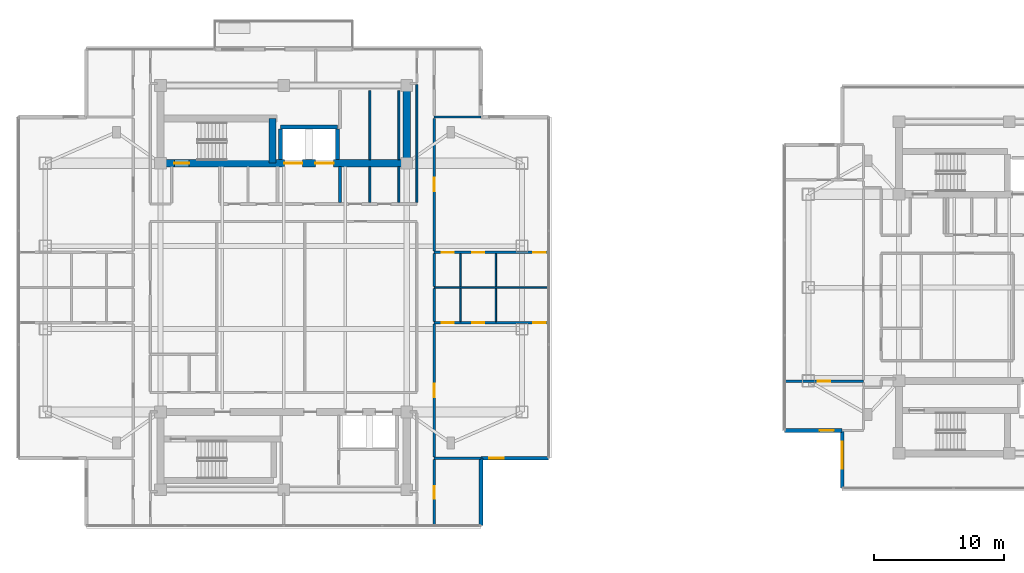
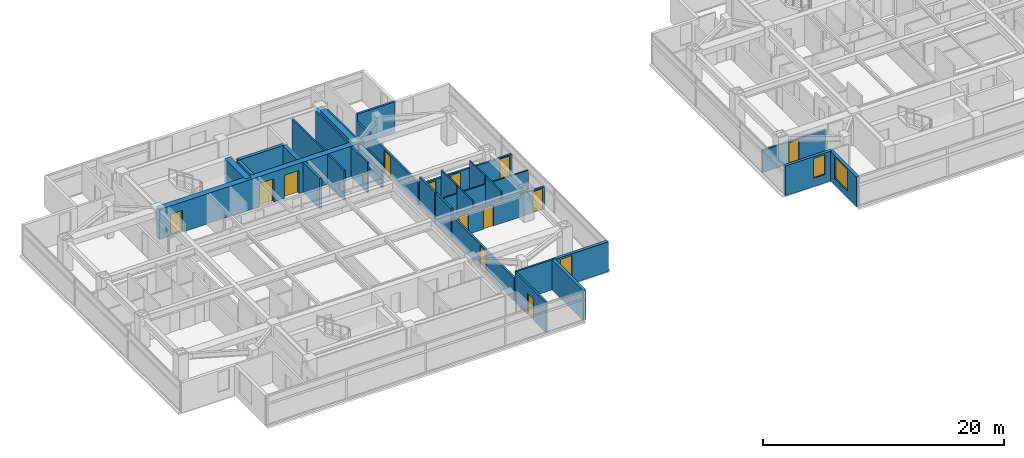
# One storey, part 14 of 24: 31 walls, 13 doors, 3 windows, 16 openings.
"""IFC4 building model written with IfcOpenShell, lengths in metres."""

from ifc_helpers import new_model, si_unit, direction, frame, frame_2d, origin, place, context, subcontext, project, spatial, rectangle, extrude, material, layer, layer_set, type_object, element, fill, save


model = new_model("IFC4")

# Units and contexts
model_context = context("Model", 3, precision=1e-05, world=origin(), true_north=direction((0.0, 1.0)))
body_context = subcontext(model_context, "Body", "Model", "MODEL_VIEW")
ifc_project = project(units=[si_unit("LENGTHUNIT", "METRE"), si_unit("AREAUNIT", "SQUARE_METRE"), si_unit("VOLUMEUNIT", "CUBIC_METRE"), si_unit("PLANEANGLEUNIT", "RADIAN"), si_unit("MASSUNIT", "GRAM", prefix="KILO")], contexts=[model_context])

# Site, building, storey
site_placement = place(None, origin())
site = spatial("IfcSite", under=ifc_project, at=site_placement, CompositionType="ELEMENT")
building_placement = place(site_placement, origin())
building = spatial("IfcBuilding", under=site, at=building_placement, Name="Mirazonda Arch Towers", CompositionType="ELEMENT")
storey_placement = place(building_placement, frame((0.0, 0.0, 196.64990234375)))
storey = spatial("IfcBuildingStorey", under=building, at=storey_placement, Name="L56", CompositionType="ELEMENT", Elevation=196.64990234375)

# Wall
ifc_material_1 = material(Name="Concrete C50/60", Category="concrete")
ifc_layer_1 = layer(ifc_material_1, 0.550048828125, Name="WALL-CORE-550")
ifc_layer_set_1 = layer_set([ifc_layer_1], Name="Concrete C50/60")
wall_type_1 = type_object("IfcWallType", Name="WALL-CORE-550", PredefinedType="SHEAR", material=ifc_layer_set_1)
wall_1_placement = place(storey_placement, frame((30.0, 37.60009765625, 0.0), z_axis=(0.0, 0.0, 1.0), x_axis=(0.0, 1.0, 0.0)))
element("IfcWall", 1, at=wall_1_placement, inside=storey, type_object=wall_type_1, Name="L56 T1N-E Core Shear Wall", PredefinedType="SHEAR", context=body_context, shape_type="SweptSolid", body=[
    extrude(rectangle(XDim=6.0, YDim=0.550048828125, at=frame_2d((3.0, 0.0))), origin(), (0.0, 0.0, 1.0), 3.050048828125),
])

# Wall, openings, doors
wall_2_placement = place(storey_placement, frame((11.0, 37.60009765625, 0.0), z_axis=(0.0, 0.0, 1.0), x_axis=(1.0, 0.0, 0.0)))
wall_2 = element("IfcWall", 2, at=wall_2_placement, inside=storey, type_object=wall_type_1, Name="L56 T1N-S Core Shear Wall", PredefinedType="SHEAR", context=body_context, shape_type="SweptSolid", body=[
    extrude(rectangle(XDim=19.0, YDim=0.550048828125, at=frame_2d((9.5, 0.0))), origin(), (0.0, 0.0, 1.0), 3.050048828125),
])
opening_1_placement = place(wall_2_placement, frame((1.06005859375, 0.0, 0.0)))
opening_1 = element("IfcOpeningElement", 3, at=opening_1_placement, cuts=wall_2, Name="Opening DR-135", PredefinedType="OPENING", context=body_context, shape_type="SweptSolid", body=[
    extrude(rectangle(XDim=1.14990234375, YDim=2.199951171875, at=frame_2d((0.574951171875, 1.10009765625))), frame((0.0, 0.284912109375, 0.0), z_axis=(0.0, -1.0, 0.0), x_axis=(1.0, 0.0, 0.0)), (0.0, 0.0, 1.0), 0.570068359375),
])
opening_2_placement = place(wall_2_placement, frame((9.550048828125, 0.0, 0.0)))
opening_2 = element("IfcOpeningElement", 4, at=opening_2_placement, cuts=wall_2, Name="Opening LD-112", PredefinedType="OPENING", context=body_context, shape_type="SweptSolid", body=[
    extrude(rectangle(XDim=1.39990234375, YDim=2.35009765625, at=frame_2d((0.699951171875, 1.175048828125))), frame((0.0, 0.284912109375, 0.0), z_axis=(0.0, -1.0, 0.0), x_axis=(1.0, 0.0, 0.0)), (0.0, 0.0, 1.0), 0.570068359375),
])
opening_3_placement = place(wall_2_placement, frame((11.949951171875, 0.0, 0.0)))
opening_3 = element("IfcOpeningElement", 5, at=opening_3_placement, cuts=wall_2, Name="Opening LD-112", PredefinedType="OPENING", context=body_context, shape_type="SweptSolid", body=[
    extrude(rectangle(XDim=1.39990234375, YDim=2.35009765625, at=frame_2d((0.699951171875, 1.175048828125))), frame((0.0, 0.284912109375, 0.0), z_axis=(0.0, -1.0, 0.0), x_axis=(1.0, 0.0, 0.0)), (0.0, 0.0, 1.0), 0.570068359375),
])
ifc_material_2 = material(Name="Architectural Brushed Steel S355", Category="steel")
door_type_1 = type_object("IfcDoorType", Name="DOOR-LIFT-FFL-1400", OperationType="NOTDEFINED", PredefinedType="DOOR", material=ifc_material_2)
door_1_placement = place(opening_2_placement, origin())
door_1 = element("IfcDoor", 6, at=door_1_placement, inside=storey, type_object=door_type_1, Name="L56 Lift Landing Sliding Door FFL-T1", OperationType="DOUBLE_DOOR_SLIDING", OverallHeight=2.35009765625, OverallWidth=1.39990234375, PredefinedType="DOOR", context=body_context, shape_type="SweptSolid", body=[
    extrude(rectangle(XDim=1.39990234375, YDim=2.35009765625, at=frame_2d((0.699951171875, 1.175048828125))), frame((0.0, 0.02490234375, 0.0), z_axis=(0.0, -1.0, 0.0), x_axis=(1.0, 0.0, 0.0)), (0.0, 0.0, 1.0), 0.050048828125),
])
fill(opening_2, door_1)
door_2_placement = place(opening_3_placement, origin())
door_2 = element("IfcDoor", 7, at=door_2_placement, inside=storey, type_object=door_type_1, Name="L56 Lift Landing Sliding Door SVL-T1", OperationType="DOUBLE_DOOR_SLIDING", OverallHeight=2.35009765625, OverallWidth=1.39990234375, PredefinedType="DOOR", context=body_context, shape_type="SweptSolid", body=[
    extrude(rectangle(XDim=1.39990234375, YDim=2.35009765625, at=frame_2d((0.699951171875, 1.175048828125))), frame((0.0, 0.02490234375, 0.0), z_axis=(0.0, -1.0, 0.0), x_axis=(1.0, 0.0, 0.0)), (0.0, 0.0, 1.0), 0.050048828125),
])
fill(opening_3, door_2)
door_type_2 = type_object("IfcDoorType", Name="DOOR-STAIR-FD90-1150", OperationType="NOTDEFINED", PredefinedType="DOOR", material=ifc_material_2)
door_3_placement = place(opening_1_placement, origin())
door_3 = element("IfcDoor", 8, at=door_3_placement, inside=storey, type_object=door_type_2, Name="L56 Protected Exit Stair North Door", OperationType="SINGLE_SWING_RIGHT", OverallHeight=2.199951171875, OverallWidth=1.14990234375, PredefinedType="DOOR", context=body_context, shape_type="SweptSolid", body=[
    extrude(rectangle(XDim=1.14990234375, YDim=2.199951171875, at=frame_2d((0.574951171875, 1.10009765625))), frame((0.0, 0.02490234375, 0.0), z_axis=(0.0, -1.0, 0.0), x_axis=(1.0, 0.0, 0.0)), (0.0, 0.0, 1.0), 0.050048828125),
])
fill(opening_1, door_3)

# Wall
wall_3_placement = place(storey_placement, frame((19.64990234375, 37.60009765625, 0.0), z_axis=(0.0, 0.0, 1.0), x_axis=(0.0, 1.0, 0.0)))
element("IfcWall", 9, at=wall_3_placement, inside=storey, type_object=wall_type_1, Name="L56 T1N-STE Core Shear Wall", PredefinedType="SHEAR", context=body_context, shape_type="SweptSolid", body=[
    extrude(rectangle(XDim=3.44287109375, YDim=0.550048828125, at=frame_2d((1.721435546875, 0.0))), origin(), (0.0, 0.0, 1.0), 3.050048828125),
])

# Wall, opening, window
ifc_material_3 = material(Name="Precast Concrete C40/50", Category="concrete")
ifc_layer_2 = layer(ifc_material_3, 0.280029296875, Name="WALL-EXT-WALL-280")
ifc_layer_set_2 = layer_set([ifc_layer_2], Name="Precast Concrete C40/50")
wall_type_2 = type_object("IfcWallType", Name="WALL-EXT-WALL-280", PredefinedType="SOLIDWALL", material=ifc_layer_set_2)
wall_4_placement = place(storey_placement, frame((35.735107421875, 14.8330078125, 0.0), z_axis=(0.0, 0.0, 1.0), x_axis=(1.0, 0.0, 0.0)))
wall_4 = element("IfcWall", 10, at=wall_4_placement, inside=storey, type_object=wall_type_2, Name="L56 T1 Corner Notch Return Wall WL-L56-T1-CSE1", PredefinedType="SOLIDWALL", context=body_context, shape_type="SweptSolid", body=[
    extrude(rectangle(XDim=5.21484375, YDim=0.280029296875, at=frame_2d((2.607421875, 0.0))), origin(), (0.0, 0.0, 1.0), 3.030029296875),
])
opening_4_placement = place(wall_4_placement, frame((0.64990234375, 0.0, 0.85009765625)))
opening_4 = element("IfcOpeningElement", 11, at=opening_4_placement, cuts=wall_4, Name="Opening WN-108", PredefinedType="OPENING", context=body_context, shape_type="SweptSolid", body=[
    extrude(rectangle(XDim=1.10009765625, YDim=2.0, at=frame_2d((0.550048828125, 1.0))), frame((0.0, 0.14990234375, 0.0), z_axis=(0.0, -1.0, 0.0), x_axis=(1.0, 0.0, 0.0)), (0.0, 0.0, 1.0), 0.300048828125),
])
ifc_material_4 = material(Name="Insulated Low-E Solar Glass", Category="glass")
window_type_1 = type_object("IfcWindowType", Name="WIN-NOTCH-1100x2000", PartitioningType="SINGLE_PANEL", PredefinedType="WINDOW", material=ifc_material_4)
window_1_placement = place(opening_4_placement, origin())
window_1 = element("IfcWindow", 12, at=window_1_placement, inside=storey, type_object=window_type_1, Name="L56 Punched Facade Window WN-L56-T1-CSE1", OverallHeight=2.0, OverallWidth=1.10009765625, PartitioningType="SINGLE_PANEL", PredefinedType="WINDOW", context=body_context, shape_type="SweptSolid", body=[
    extrude(rectangle(XDim=1.10009765625, YDim=2.0, at=frame_2d((0.550048828125, 1.0))), frame((0.0, 0.030029296875, 0.0), z_axis=(0.0, -1.0, 0.0), x_axis=(1.0, 0.0, 0.0)), (0.0, 0.0, 1.0), 0.06005859375),
])
fill(opening_4, window_1)

# Wall
wall_5_placement = place(storey_placement, frame((35.735107421875, 9.617919921875, 0.0), z_axis=(0.0, 0.0, 1.0), x_axis=(0.0, 1.0, 0.0)))
element("IfcWall", 13, at=wall_5_placement, inside=storey, type_object=wall_type_2, Name="L56 T1 Corner Notch Return Wall WL-L56-T1-CSE2", PredefinedType="SOLIDWALL", context=body_context, shape_type="SweptSolid", body=[
    extrude(rectangle(XDim=5.215087890625, YDim=0.280029296875, at=frame_2d((2.607421875, 0.0))), origin(), (0.0, 0.0, 1.0), 3.030029296875),
])

# Wall, opening, window
wall_6_placement = place(storey_placement, frame((63.610107421875, 16.968017578125, 0.0), z_axis=(0.0, 0.0, 1.0), x_axis=(0.0, -1.0, 0.0)))
wall_6 = element("IfcWall", 14, at=wall_6_placement, inside=storey, type_object=wall_type_2, Name="L56 T2 Notched SW Corner Wall WL-L56-T2-CSW", PredefinedType="SOLIDWALL", context=body_context, shape_type="SweptSolid", body=[
    extrude(rectangle(XDim=4.439697265625, YDim=0.280029296875, at=frame_2d((2.2197265625, 0.0))), origin(), (0.0, 0.0, 1.0), 3.030029296875),
])
opening_5_placement = place(wall_6_placement, frame((0.85009765625, 0.0, 0.679931640625)))
opening_5 = element("IfcOpeningElement", 15, at=opening_5_placement, cuts=wall_6, Name="Opening WN-117", PredefinedType="OPENING", context=body_context, shape_type="SweptSolid", body=[
    extrude(rectangle(XDim=2.10009765625, YDim=2.199951171875, at=frame_2d((1.050048828125, 1.10009765625))), frame((0.0, 0.14990234375, 0.0), z_axis=(0.0, -1.0, 0.0), x_axis=(1.0, 0.0, 0.0)), (0.0, 0.0, 1.0), 0.300048828125),
])
window_type_2 = type_object("IfcWindowType", Name="WIN-RES-2100x2200", PartitioningType="SINGLE_PANEL", PredefinedType="WINDOW", material=ifc_material_4)
window_2_placement = place(opening_5_placement, origin())
window_2 = element("IfcWindow", 16, at=window_2_placement, inside=storey, type_object=window_type_2, Name="L56 Punched Facade Window WN-L56-T2-CSW", OverallHeight=2.199951171875, OverallWidth=2.10009765625, PartitioningType="SINGLE_PANEL", PredefinedType="WINDOW", context=body_context, shape_type="SweptSolid", body=[
    extrude(rectangle(XDim=2.10009765625, YDim=2.199951171875, at=frame_2d((1.050048828125, 1.10009765625))), frame((0.0, 0.030029296875, 0.0), z_axis=(0.0, -1.0, 0.0), x_axis=(1.0, 0.0, 0.0)), (0.0, 0.0, 1.0), 0.06005859375),
])
fill(opening_5, window_2)

wall_7_placement = place(storey_placement, frame((59.17041015625, 16.968017578125, 0.0), z_axis=(0.0, 0.0, 1.0), x_axis=(1.0, 0.0, 0.0)))
wall_7 = element("IfcWall", 17, at=wall_7_placement, inside=storey, type_object=wall_type_2, Name="L56 T2 Corner Notch Return Wall WL-L56-T2-CSW2", PredefinedType="SOLIDWALL", context=body_context, shape_type="SweptSolid", body=[
    extrude(rectangle(XDim=4.439697265625, YDim=0.280029296875, at=frame_2d((2.2197265625, 0.0))), origin(), (0.0, 0.0, 1.0), 3.030029296875),
])
opening_6_placement = place(wall_7_placement, frame((2.68994140625, 0.0, 0.85009765625)))
opening_6 = element("IfcOpeningElement", 18, at=opening_6_placement, cuts=wall_7, Name="Opening WN-108", PredefinedType="OPENING", context=body_context, shape_type="SweptSolid", body=[
    extrude(rectangle(XDim=1.10009765625, YDim=2.0, at=frame_2d((0.550048828125, 1.0))), frame((0.0, 0.14990234375, 0.0), z_axis=(0.0, -1.0, 0.0), x_axis=(1.0, 0.0, 0.0)), (0.0, 0.0, 1.0), 0.300048828125),
])
window_3_placement = place(opening_6_placement, origin())
window_3 = element("IfcWindow", 19, at=window_3_placement, inside=storey, type_object=window_type_1, Name="L56 Punched Facade Window WN-L56-T2-CSW2", OverallHeight=2.0, OverallWidth=1.10009765625, PartitioningType="SINGLE_PANEL", PredefinedType="WINDOW", context=body_context, shape_type="SweptSolid", body=[
    extrude(rectangle(XDim=1.10009765625, YDim=2.0, at=frame_2d((0.550048828125, 1.0))), frame((0.0, 0.030029296875, 0.0), z_axis=(0.0, -1.0, 0.0), x_axis=(1.0, 0.0, 0.0)), (0.0, 0.0, 1.0), 0.06005859375),
])
fill(opening_6, window_3)

# Walls
ifc_material_5 = material(Name="Concrete C40/50", Category="concrete")
ifc_layer_3 = layer(ifc_material_5, 0.219970703125, Name="WALL-FFL-220")
ifc_layer_set_3 = layer_set([ifc_layer_3], Name="Concrete C40/50")
wall_type_3 = type_object("IfcWallType", Name="WALL-FFL-220", PredefinedType="SOLIDWALL", material=ifc_layer_set_3)
wall_8_placement = place(storey_placement, frame((24.85009765625, 34.570068359375, 0.0), z_axis=(0.0, 0.0, 1.0), x_axis=(0.0, 1.0, 0.0)))
element("IfcWall", 20, at=wall_8_placement, inside=storey, type_object=wall_type_3, Name="L56 Interior Partition 087", PredefinedType="SOLIDWALL", context=body_context, shape_type="SweptSolid", body=[
    extrude(rectangle(XDim=2.760009765625, YDim=0.219970703125, at=frame_2d((1.3798828125, 0.0))), origin(), (0.0, 0.0, 1.0), 3.050048828125),
])
ifc_material_6 = material(Name="Fire-Rated Gypsum Stud Partition")
ifc_layer_4 = layer(ifc_material_6, 0.14990234375, Name="WALL-PART-CORR-150")
ifc_layer_set_4 = layer_set([ifc_layer_4], Name="Fire-Rated Gypsum Stud Partition")
wall_type_4 = type_object("IfcWallType", Name="WALL-PART-CORR-150", PredefinedType="PARTITIONING", material=ifc_layer_set_4)
wall_9_placement = place(storey_placement, frame((27.14990234375, 34.570068359375, 0.0), z_axis=(0.0, 0.0, 1.0), x_axis=(0.0, 1.0, 0.0)))
element("IfcWall", 21, at=wall_9_placement, inside=storey, type_object=wall_type_4, Name="L56 Interior Partition 089", PredefinedType="PARTITIONING", context=body_context, shape_type="SweptSolid", body=[
    extrude(rectangle(XDim=2.760009765625, YDim=0.14990234375, at=frame_2d((1.3798828125, 0.0))), origin(), (0.0, 0.0, 1.0), 3.050048828125),
])
wall_10_placement = place(storey_placement, frame((27.14990234375, 37.8701171875, 0.0), z_axis=(0.0, 0.0, 1.0), x_axis=(0.0, 1.0, 0.0)))
element("IfcWall", 22, at=wall_10_placement, inside=storey, type_object=wall_type_4, Name="L56 Interior Partition 090", PredefinedType="PARTITIONING", context=body_context, shape_type="SweptSolid", body=[
    extrude(rectangle(XDim=5.329833984375, YDim=0.14990234375, at=frame_2d((2.6650390625, 0.0))), origin(), (0.0, 0.0, 1.0), 3.050048828125),
])
wall_11_placement = place(storey_placement, frame((29.39990234375, 34.570068359375, 0.0), z_axis=(0.0, 0.0, 1.0), x_axis=(0.0, 1.0, 0.0)))
element("IfcWall", 23, at=wall_11_placement, inside=storey, type_object=wall_type_4, Name="L56 Interior Partition 093", PredefinedType="PARTITIONING", context=body_context, shape_type="SweptSolid", body=[
    extrude(rectangle(XDim=2.760009765625, YDim=0.14990234375, at=frame_2d((1.3798828125, 0.0))), origin(), (0.0, 0.0, 1.0), 3.050048828125),
])
wall_12_placement = place(storey_placement, frame((29.39990234375, 37.8701171875, 0.0), z_axis=(0.0, 0.0, 1.0), x_axis=(0.0, 1.0, 0.0)))
element("IfcWall", 24, at=wall_12_placement, inside=storey, type_object=wall_type_4, Name="L56 Interior Partition 094", PredefinedType="PARTITIONING", context=body_context, shape_type="SweptSolid", body=[
    extrude(rectangle(XDim=5.329833984375, YDim=0.14990234375, at=frame_2d((2.6650390625, 0.0))), origin(), (0.0, 0.0, 1.0), 3.050048828125),
])
wall_13_placement = place(storey_placement, frame((30.780029296875, 34.570068359375, 0.0), z_axis=(0.0, 0.0, 1.0), x_axis=(0.0, 1.0, 0.0)))
element("IfcWall", 25, at=wall_13_placement, inside=storey, type_object=wall_type_4, Name="L56 Interior Partition 098", PredefinedType="PARTITIONING", context=body_context, shape_type="SweptSolid", body=[
    extrude(rectangle(XDim=9.094970703125, YDim=0.14990234375, at=frame_2d((4.54736328125, 0.0))), origin(), (0.0, 0.0, 1.0), 2.442138671875),
])
ifc_material_7 = material(Name="Fire-Rated Gypsum Twin-Stud Assembly")
ifc_layer_5 = layer(ifc_material_7, 0.179931640625, Name="WALL-PART-DEMISE-180")
ifc_layer_set_5 = layer_set([ifc_layer_5], Name="Fire-Rated Gypsum Twin-Stud Assembly")
wall_type_5 = type_object("IfcWallType", Name="WALL-PART-DEMISE-180", PredefinedType="PARTITIONING", material=ifc_layer_set_5)
wall_14_placement = place(storey_placement, frame((32.1201171875, 14.8330078125, 0.0), z_axis=(0.0, 0.0, 1.0), x_axis=(1.0, 0.0, 0.0)))
element("IfcWall", 26, at=wall_14_placement, inside=storey, type_object=wall_type_5, Name="L56 Interior Partition 005", PredefinedType="PARTITIONING", context=body_context, shape_type="SweptSolid", body=[
    extrude(rectangle(XDim=3.594970703125, YDim=0.179931640625, at=frame_2d((1.79736328125, 0.0))), origin(), (0.0, 0.0, 1.0), 3.050048828125),
])

# Wall, opening, door
wall_15_placement = place(storey_placement, frame((59.169921875, 20.76806640625, 0.0), z_axis=(0.0, 0.0, 1.0), x_axis=(1.0, 0.0, 0.0)))
wall_15 = element("IfcWall", 27, at=wall_15_placement, inside=storey, type_object=wall_type_5, Name="L56 Interior Partition 017", PredefinedType="PARTITIONING", context=body_context, shape_type="SweptSolid", body=[
    extrude(rectangle(XDim=6.080078125, YDim=0.179931640625, at=frame_2d((3.0400390625, 0.0))), origin(), (0.0, 0.0, 1.0), 2.26904296875),
])
opening_7_placement = place(wall_15_placement, frame((2.56494140625, 0.0, 0.0)))
opening_7 = element("IfcOpeningElement", 28, at=opening_7_placement, cuts=wall_15, Name="Opening DR-104", PredefinedType="OPENING", context=body_context, shape_type="SweptSolid", body=[
    extrude(rectangle(XDim=0.949951171875, YDim=2.14990234375, at=frame_2d((0.47509765625, 1.074951171875))), frame((0.0, 0.099853515625, 0.0), z_axis=(0.0, -1.0, 0.0), x_axis=(1.0, 0.0, 0.0)), (0.0, 0.0, 1.0), 0.199951171875),
])
door_type_3 = type_object("IfcDoorType", Name="DOOR-ROOM-950", OperationType="NOTDEFINED", PredefinedType="DOOR", material=ifc_material_2)
door_4_placement = place(opening_7_placement, origin())
door_4 = element("IfcDoor", 29, at=door_4_placement, inside=storey, type_object=door_type_3, Name="L56 Residence 1 Principal Bedroom Door", OperationType="SINGLE_SWING_LEFT", OverallHeight=2.14990234375, OverallWidth=0.949951171875, PredefinedType="DOOR", context=body_context, shape_type="SweptSolid", body=[
    extrude(rectangle(XDim=0.949951171875, YDim=2.14990234375, at=frame_2d((0.47509765625, 1.074951171875))), frame((0.0, 0.02490234375, 0.0), z_axis=(0.0, -1.0, 0.0), x_axis=(1.0, 0.0, 0.0)), (0.0, 0.0, 1.0), 0.050048828125),
])
fill(opening_7, door_4)

# Wall, openings, doors
wall_16_placement = place(storey_placement, frame((32.1201171875, 25.280029296875, 0.0), z_axis=(0.0, 0.0, 1.0), x_axis=(1.0, 0.0, 0.0)))
wall_16 = element("IfcWall", 30, at=wall_16_placement, inside=storey, type_object=wall_type_5, Name="L56 Interior Partition 025", PredefinedType="PARTITIONING", context=body_context, shape_type="SweptSolid", body=[
    extrude(rectangle(XDim=8.829833984375, YDim=0.179931640625, at=frame_2d((4.4150390625, 0.0))), origin(), (0.0, 0.0, 1.0), 2.26904296875),
])
opening_8_placement = place(wall_16_placement, frame((7.64794921875, 0.0, 0.0)))
opening_8 = element("IfcOpeningElement", 31, at=opening_8_placement, cuts=wall_16, Name="Opening DR-104", PredefinedType="OPENING", context=body_context, shape_type="SweptSolid", body=[
    extrude(rectangle(XDim=0.949951171875, YDim=2.14990234375, at=frame_2d((0.47509765625, 1.074951171875))), frame((0.0, 0.099853515625, 0.0), z_axis=(0.0, -1.0, 0.0), x_axis=(1.0, 0.0, 0.0)), (0.0, 0.0, 1.0), 0.199951171875),
])
opening_9_placement = place(wall_16_placement, frame((2.923095703125, 0.0, 0.0)))
opening_9 = element("IfcOpeningElement", 32, at=opening_9_placement, cuts=wall_16, Name="Opening DR-104", PredefinedType="OPENING", context=body_context, shape_type="SweptSolid", body=[
    extrude(rectangle(XDim=0.949951171875, YDim=2.14990234375, at=frame_2d((0.47509765625, 1.074951171875))), frame((0.0, 0.099853515625, 0.0), z_axis=(0.0, -1.0, 0.0), x_axis=(1.0, 0.0, 0.0)), (0.0, 0.0, 1.0), 0.199951171875),
])
opening_10_placement = place(wall_16_placement, frame((0.590087890625, 0.0, 0.0)))
opening_10 = element("IfcOpeningElement", 33, at=opening_10_placement, cuts=wall_16, Name="Opening DR-120", PredefinedType="OPENING", context=body_context, shape_type="SweptSolid", body=[
    extrude(rectangle(XDim=0.89990234375, YDim=2.10009765625, at=frame_2d((0.449951171875, 1.050048828125))), frame((0.0, 0.099853515625, 0.0), z_axis=(0.0, -1.0, 0.0), x_axis=(1.0, 0.0, 0.0)), (0.0, 0.0, 1.0), 0.199951171875),
])
door_5_placement = place(opening_8_placement, origin())
door_5 = element("IfcDoor", 34, at=door_5_placement, inside=storey, type_object=door_type_3, Name="L56 Residence 1 Principal Bedroom Door", OperationType="SINGLE_SWING_RIGHT", OverallHeight=2.14990234375, OverallWidth=0.949951171875, PredefinedType="DOOR", context=body_context, shape_type="SweptSolid", body=[
    extrude(rectangle(XDim=0.949951171875, YDim=2.14990234375, at=frame_2d((0.47509765625, 1.074951171875))), frame((0.0, 0.02490234375, 0.0), z_axis=(0.0, -1.0, 0.0), x_axis=(1.0, 0.0, 0.0)), (0.0, 0.0, 1.0), 0.050048828125),
])
fill(opening_8, door_5)
door_6_placement = place(opening_9_placement, origin())
door_6 = element("IfcDoor", 35, at=door_6_placement, inside=storey, type_object=door_type_3, Name="L56 Residence 1 Fitted Kitchen Door", OperationType="SINGLE_SWING_LEFT", OverallHeight=2.14990234375, OverallWidth=0.949951171875, PredefinedType="DOOR", context=body_context, shape_type="SweptSolid", body=[
    extrude(rectangle(XDim=0.949951171875, YDim=2.14990234375, at=frame_2d((0.47509765625, 1.074951171875))), frame((0.0, 0.02490234375, 0.0), z_axis=(0.0, -1.0, 0.0), x_axis=(1.0, 0.0, 0.0)), (0.0, 0.0, 1.0), 0.050048828125),
])
fill(opening_9, door_6)
door_type_4 = type_object("IfcDoorType", Name="DOOR-WC-900", OperationType="NOTDEFINED", PredefinedType="DOOR", material=ifc_material_2)
door_7_placement = place(opening_10_placement, origin())
door_7 = element("IfcDoor", 36, at=door_7_placement, inside=storey, type_object=door_type_4, Name="L56 Residence 1 Bathroom Door", OperationType="SINGLE_SWING_RIGHT", OverallHeight=2.10009765625, OverallWidth=0.89990234375, PredefinedType="DOOR", context=body_context, shape_type="SweptSolid", body=[
    extrude(rectangle(XDim=0.89990234375, YDim=2.10009765625, at=frame_2d((0.449951171875, 1.050048828125))), frame((0.0, 0.02490234375, 0.0), z_axis=(0.0, -1.0, 0.0), x_axis=(1.0, 0.0, 0.0)), (0.0, 0.0, 1.0), 0.050048828125),
])
fill(opening_10, door_7)

wall_17_placement = place(storey_placement, frame((32.1201171875, 30.719970703125, 0.0), z_axis=(0.0, 0.0, 1.0), x_axis=(1.0, 0.0, 0.0)))
wall_17 = element("IfcWall", 37, at=wall_17_placement, inside=storey, type_object=wall_type_5, Name="L56 Interior Partition 036", PredefinedType="PARTITIONING", context=body_context, shape_type="SweptSolid", body=[
    extrude(rectangle(XDim=8.829833984375, YDim=0.179931640625, at=frame_2d((4.4150390625, 0.0))), origin(), (0.0, 0.0, 1.0), 2.26904296875),
])
opening_11_placement = place(wall_17_placement, frame((7.64794921875, 0.0, 0.0)))
opening_11 = element("IfcOpeningElement", 38, at=opening_11_placement, cuts=wall_17, Name="Opening DR-104", PredefinedType="OPENING", context=body_context, shape_type="SweptSolid", body=[
    extrude(rectangle(XDim=0.949951171875, YDim=2.14990234375, at=frame_2d((0.47509765625, 1.074951171875))), frame((0.0, 0.099853515625, 0.0), z_axis=(0.0, -1.0, 0.0), x_axis=(1.0, 0.0, 0.0)), (0.0, 0.0, 1.0), 0.199951171875),
])
opening_12_placement = place(wall_17_placement, frame((2.923095703125, 0.0, 0.0)))
opening_12 = element("IfcOpeningElement", 39, at=opening_12_placement, cuts=wall_17, Name="Opening DR-104", PredefinedType="OPENING", context=body_context, shape_type="SweptSolid", body=[
    extrude(rectangle(XDim=0.949951171875, YDim=2.14990234375, at=frame_2d((0.47509765625, 1.074951171875))), frame((0.0, 0.099853515625, 0.0), z_axis=(0.0, -1.0, 0.0), x_axis=(1.0, 0.0, 0.0)), (0.0, 0.0, 1.0), 0.199951171875),
])
opening_13_placement = place(wall_17_placement, frame((0.590087890625, 0.0, 0.0)))
opening_13 = element("IfcOpeningElement", 40, at=opening_13_placement, cuts=wall_17, Name="Opening DR-120", PredefinedType="OPENING", context=body_context, shape_type="SweptSolid", body=[
    extrude(rectangle(XDim=0.89990234375, YDim=2.10009765625, at=frame_2d((0.449951171875, 1.050048828125))), frame((0.0, 0.099853515625, 0.0), z_axis=(0.0, -1.0, 0.0), x_axis=(1.0, 0.0, 0.0)), (0.0, 0.0, 1.0), 0.199951171875),
])
door_8_placement = place(opening_11_placement, origin())
door_8 = element("IfcDoor", 41, at=door_8_placement, inside=storey, type_object=door_type_3, Name="L56 Residence 2 Principal Bedroom Door", OperationType="SINGLE_SWING_RIGHT", OverallHeight=2.14990234375, OverallWidth=0.949951171875, PredefinedType="DOOR", context=body_context, shape_type="SweptSolid", body=[
    extrude(rectangle(XDim=0.949951171875, YDim=2.14990234375, at=frame_2d((0.47509765625, 1.074951171875))), frame((0.0, 0.02490234375, 0.0), z_axis=(0.0, -1.0, 0.0), x_axis=(1.0, 0.0, 0.0)), (0.0, 0.0, 1.0), 0.050048828125),
])
fill(opening_11, door_8)
door_9_placement = place(opening_12_placement, origin())
door_9 = element("IfcDoor", 42, at=door_9_placement, inside=storey, type_object=door_type_3, Name="L56 Residence 2 Fitted Kitchen Door", OperationType="SINGLE_SWING_LEFT", OverallHeight=2.14990234375, OverallWidth=0.949951171875, PredefinedType="DOOR", context=body_context, shape_type="SweptSolid", body=[
    extrude(rectangle(XDim=0.949951171875, YDim=2.14990234375, at=frame_2d((0.47509765625, 1.074951171875))), frame((0.0, 0.02490234375, 0.0), z_axis=(0.0, -1.0, 0.0), x_axis=(1.0, 0.0, 0.0)), (0.0, 0.0, 1.0), 0.050048828125),
])
fill(opening_12, door_9)
door_10_placement = place(opening_13_placement, origin())
door_10 = element("IfcDoor", 43, at=door_10_placement, inside=storey, type_object=door_type_4, Name="L56 Residence 2 Bathroom Door", OperationType="SINGLE_SWING_RIGHT", OverallHeight=2.10009765625, OverallWidth=0.89990234375, PredefinedType="DOOR", context=body_context, shape_type="SweptSolid", body=[
    extrude(rectangle(XDim=0.89990234375, YDim=2.10009765625, at=frame_2d((0.449951171875, 1.050048828125))), frame((0.0, 0.02490234375, 0.0), z_axis=(0.0, -1.0, 0.0), x_axis=(1.0, 0.0, 0.0)), (0.0, 0.0, 1.0), 0.050048828125),
])
fill(opening_13, door_10)

# Wall
wall_18_placement = place(storey_placement, frame((32.1201171875, 41.1669921875, 0.0), z_axis=(0.0, 0.0, 1.0), x_axis=(1.0, 0.0, 0.0)))
element("IfcWall", 44, at=wall_18_placement, inside=storey, type_object=wall_type_5, Name="L56 Interior Partition 051", PredefinedType="PARTITIONING", context=body_context, shape_type="SweptSolid", body=[
    extrude(rectangle(XDim=3.594970703125, YDim=0.179931640625, at=frame_2d((1.79736328125, 0.0))), origin(), (0.0, 0.0, 1.0), 3.050048828125),
])

# Wall, opening, door
wall_19_placement = place(storey_placement, frame((32.1201171875, 9.617919921875, 0.0), z_axis=(0.0, 0.0, 1.0), x_axis=(0.0, 1.0, 0.0)))
wall_19 = element("IfcWall", 45, at=wall_19_placement, inside=storey, type_object=wall_type_5, Name="L56 Interior Partition 100", PredefinedType="PARTITIONING", context=body_context, shape_type="SweptSolid", body=[
    extrude(rectangle(XDim=5.114990234375, YDim=0.179931640625, at=frame_2d((2.5576171875, 0.0))), origin(), (0.0, 0.0, 1.0), 3.050048828125),
])
opening_14_placement = place(wall_19_placement, frame((2.08251953125, 0.0, 0.0)))
opening_14 = element("IfcOpeningElement", 46, at=opening_14_placement, cuts=wall_19, Name="Opening DR-104", PredefinedType="OPENING", context=body_context, shape_type="SweptSolid", body=[
    extrude(rectangle(XDim=0.949951171875, YDim=2.14990234375, at=frame_2d((0.47509765625, 1.074951171875))), frame((0.0, 0.099853515625, 0.0), z_axis=(0.0, -1.0, 0.0), x_axis=(1.0, 0.0, 0.0)), (0.0, 0.0, 1.0), 0.199951171875),
])
door_11_placement = place(opening_14_placement, origin())
door_11 = element("IfcDoor", 47, at=door_11_placement, inside=storey, type_object=door_type_3, Name="L56 South Panoramic Study Alcove East Door", OperationType="SINGLE_SWING_RIGHT", OverallHeight=2.14990234375, OverallWidth=0.949951171875, PredefinedType="DOOR", context=body_context, shape_type="SweptSolid", body=[
    extrude(rectangle(XDim=0.949951171875, YDim=2.14990234375, at=frame_2d((0.47509765625, 1.074951171875))), frame((0.0, 0.02490234375, 0.0), z_axis=(0.0, -1.0, 0.0), x_axis=(1.0, 0.0, 0.0)), (0.0, 0.0, 1.0), 0.050048828125),
])
fill(opening_14, door_11)

wall_20_placement = place(storey_placement, frame((32.1201171875, 14.93310546875, 0.0), z_axis=(0.0, 0.0, 1.0), x_axis=(0.0, 1.0, 0.0)))
wall_20 = element("IfcWall", 48, at=wall_20_placement, inside=storey, type_object=wall_type_5, Name="L56 Interior Partition 101", PredefinedType="PARTITIONING", context=body_context, shape_type="SweptSolid", body=[
    extrude(rectangle(XDim=10.246826171875, YDim=0.179931640625, at=frame_2d((5.12353515625, 0.0))), origin(), (0.0, 0.0, 1.0), 2.34619140625),
])
opening_15_placement = place(wall_20_placement, frame((4.598388671875, 0.0, 0.0)))
opening_15 = element("IfcOpeningElement", 49, at=opening_15_placement, cuts=wall_20, Name="Opening DR-121", PredefinedType="OPENING", context=body_context, shape_type="SweptSolid", body=[
    extrude(rectangle(XDim=1.050048828125, YDim=2.199951171875, at=frame_2d((0.52490234375, 1.10009765625))), frame((0.0, 0.099853515625, 0.0), z_axis=(0.0, -1.0, 0.0), x_axis=(1.0, 0.0, 0.0)), (0.0, 0.0, 1.0), 0.199951171875),
])
door_type_5 = type_object("IfcDoorType", Name="DOOR-SUITE-FD60-1050", OperationType="NOTDEFINED", PredefinedType="DOOR", material=ifc_material_2)
door_12_placement = place(opening_15_placement, origin())
door_12 = element("IfcDoor", 50, at=door_12_placement, inside=storey, type_object=door_type_5, Name="L56 Penthouse Residence 1 Living & Dining Salon Door", OperationType="SINGLE_SWING_LEFT", OverallHeight=2.199951171875, OverallWidth=1.050048828125, PredefinedType="DOOR", context=body_context, shape_type="SweptSolid", body=[
    extrude(rectangle(XDim=1.050048828125, YDim=2.199951171875, at=frame_2d((0.52490234375, 1.10009765625))), frame((0.0, 0.02490234375, 0.0), z_axis=(0.0, -1.0, 0.0), x_axis=(1.0, 0.0, 0.0)), (0.0, 0.0, 1.0), 0.050048828125),
])
fill(opening_15, door_12)

# Walls
for number, where, z_axis, x_axis, name in (
    (51, (32.1201171875, 25.3798828125, 0.0), (0.0, 0.0, 1.0), (0.0, 1.0, 0.0), "L56 Interior Partition 102"),
    (52, (32.1201171875, 28.072509765625, 0.0), (0.0, 0.0, 1.0), (0.0, 1.0, 0.0), "L56 Interior Partition 103"),
):
    element("IfcWall", number, at=place(storey_placement, frame(where, z_axis=z_axis, x_axis=x_axis)), inside=storey, type_object=wall_type_5, Name=name, PredefinedType="PARTITIONING", context=body_context, shape_type="SweptSolid", body=[
        extrude(rectangle(XDim=2.547607421875, YDim=0.179931640625, at=frame_2d((1.27392578125, 0.0))), origin(), (0.0, 0.0, 1.0), 3.050048828125),
    ])

# Wall, opening, door
wall_21_placement = place(storey_placement, frame((32.1201171875, 30.820068359375, 0.0), z_axis=(0.0, 0.0, 1.0), x_axis=(0.0, 1.0, 0.0)))
wall_21 = element("IfcWall", 53, at=wall_21_placement, inside=storey, type_object=wall_type_5, Name="L56 Interior Partition 104", PredefinedType="PARTITIONING", context=body_context, shape_type="SweptSolid", body=[
    extrude(rectangle(XDim=10.246826171875, YDim=0.179931640625, at=frame_2d((5.12353515625, 0.0))), origin(), (0.0, 0.0, 1.0), 2.34619140625),
])
opening_16_placement = place(wall_21_placement, frame((4.598388671875, 0.0, 0.0)))
opening_16 = element("IfcOpeningElement", 54, at=opening_16_placement, cuts=wall_21, Name="Opening DR-121", PredefinedType="OPENING", context=body_context, shape_type="SweptSolid", body=[
    extrude(rectangle(XDim=1.050048828125, YDim=2.199951171875, at=frame_2d((0.52490234375, 1.10009765625))), frame((0.0, 0.099853515625, 0.0), z_axis=(0.0, -1.0, 0.0), x_axis=(1.0, 0.0, 0.0)), (0.0, 0.0, 1.0), 0.199951171875),
])
door_13_placement = place(opening_16_placement, origin())
door_13 = element("IfcDoor", 55, at=door_13_placement, inside=storey, type_object=door_type_5, Name="L56 Penthouse Residence 2 Living & Dining Salon Door", OperationType="SINGLE_SWING_LEFT", OverallHeight=2.199951171875, OverallWidth=1.050048828125, PredefinedType="DOOR", context=body_context, shape_type="SweptSolid", body=[
    extrude(rectangle(XDim=1.050048828125, YDim=2.199951171875, at=frame_2d((0.52490234375, 1.10009765625))), frame((0.0, 0.02490234375, 0.0), z_axis=(0.0, -1.0, 0.0), x_axis=(1.0, 0.0, 0.0)), (0.0, 0.0, 1.0), 0.050048828125),
])
fill(opening_16, door_13)

# Walls
ifc_material_8 = material(Name="Acoustic Fire-Rated Gypsum Partition")
ifc_layer_6 = layer(ifc_material_8, 0.125, Name="WALL-PART-UNIT-125")
ifc_layer_set_6 = layer_set([ifc_layer_6], Name="Acoustic Fire-Rated Gypsum Partition")
wall_type_6 = type_object("IfcWallType", Name="WALL-PART-UNIT-125", PredefinedType="PARTITIONING", material=ifc_layer_set_6)
wall_22_placement = place(storey_placement, frame((32.1201171875, 28.0, 0.0), z_axis=(0.0, 0.0, 1.0), x_axis=(1.0, 0.0, 0.0)))
element("IfcWall", 56, at=wall_22_placement, inside=storey, type_object=wall_type_6, Name="L56 Interior Partition 030", PredefinedType="PARTITIONING", context=body_context, shape_type="SweptSolid", body=[
    extrude(rectangle(XDim=8.829833984375, YDim=0.125, at=frame_2d((4.4150390625, 0.0))), origin(), (0.0, 0.0, 1.0), 2.26904296875),
])
for number, where, z_axis, x_axis, name in (
    (57, (34.159912109375, 25.3798828125, 0.0), (0.0, 0.0, 1.0), (0.0, 1.0, 0.0), "L56 Interior Partition 106"),
    (58, (34.159912109375, 28.072509765625, 0.0), (0.0, 0.0, 1.0), (0.0, 1.0, 0.0), "L56 Interior Partition 107"),
    (59, (36.8759765625, 25.3798828125, 0.0), (0.0, 0.0, 1.0), (0.0, 1.0, 0.0), "L56 Interior Partition 108"),
    (60, (36.8759765625, 28.072509765625, 0.0), (0.0, 0.0, 1.0), (0.0, 1.0, 0.0), "L56 Interior Partition 109"),
):
    element("IfcWall", number, at=place(storey_placement, frame(where, z_axis=z_axis, x_axis=x_axis)), inside=storey, type_object=wall_type_6, Name=name, PredefinedType="PARTITIONING", context=body_context, shape_type="SweptSolid", body=[
        extrude(rectangle(XDim=2.547607421875, YDim=0.125, at=frame_2d((1.27392578125, 0.0))), origin(), (0.0, 0.0, 1.0), 3.050048828125),
    ])
ifc_layer_7 = layer(ifc_material_1, 0.300048828125, Name="WALL-SHAFT-300")
ifc_layer_set_7 = layer_set([ifc_layer_7], Name="Concrete C50/60")
wall_type_7 = type_object("IfcWallType", Name="WALL-SHAFT-300", PredefinedType="SOLIDWALL", material=ifc_layer_set_7)
wall_23_placement = place(storey_placement, frame((20.25, 40.39990234375, 0.0), z_axis=(0.0, 0.0, 1.0), x_axis=(1.0, 0.0, 0.0)))
element("IfcWall", 61, at=wall_23_placement, inside=storey, type_object=wall_type_7, Name="L56 Interior Partition 049", PredefinedType="SOLIDWALL", context=body_context, shape_type="SweptSolid", body=[
    extrude(rectangle(XDim=4.39990234375, YDim=0.300048828125, at=frame_2d((2.199951171875, 0.0))), origin(), (0.0, 0.0, 1.0), 3.050048828125),
])
for number, where, z_axis, x_axis, name in (
    (62, (20.25, 37.8701171875, 0.0), (0.0, 0.0, 1.0), (0.0, 1.0, 0.0), "L56 Interior Partition 080"),
    (63, (24.64990234375, 37.8701171875, 0.0), (0.0, 0.0, 1.0), (0.0, 1.0, 0.0), "L56 Interior Partition 086"),
):
    element("IfcWall", number, at=place(storey_placement, frame(where, z_axis=z_axis, x_axis=x_axis)), inside=storey, type_object=wall_type_7, Name=name, PredefinedType="SOLIDWALL", context=body_context, shape_type="SweptSolid", body=[
        extrude(rectangle(XDim=2.369873046875, YDim=0.300048828125, at=frame_2d((1.18505859375, 0.0))), origin(), (0.0, 0.0, 1.0), 3.050048828125),
    ])

save(model, "model.ifc")
